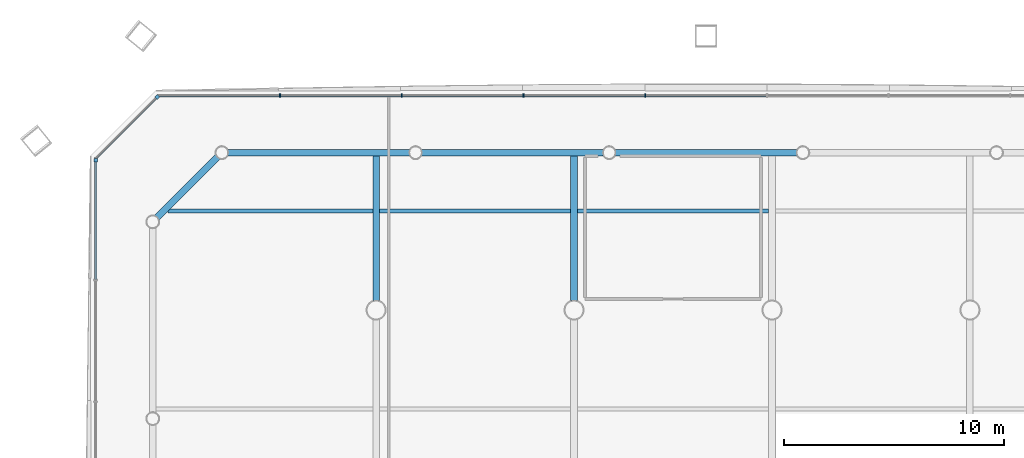
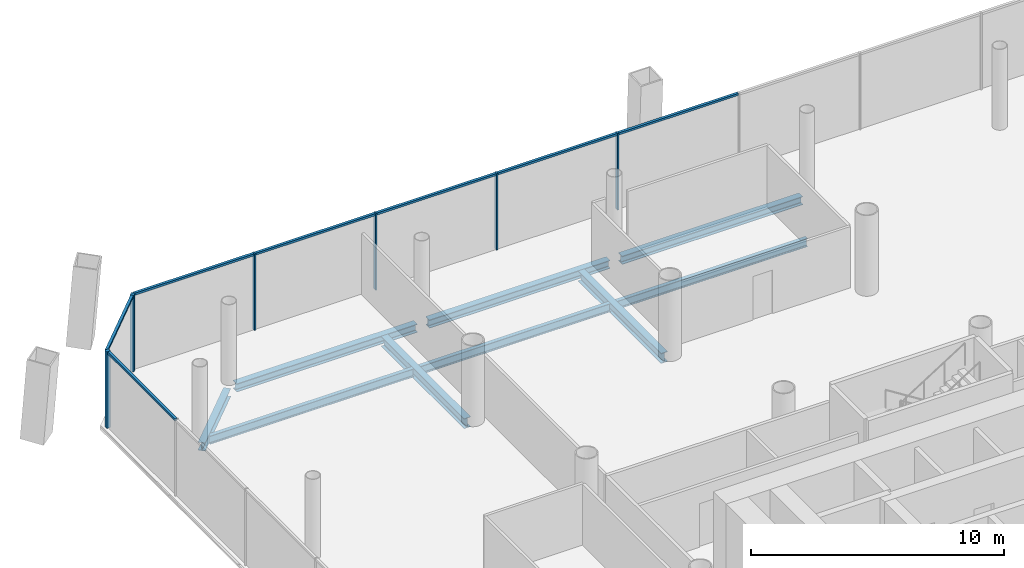
# One storey, part 10 of 22: 13 members, 9 beams, 3 elements without a shape of their own.
"""IFC4 building model written with IfcOpenShell, lengths in metres."""

from ifc_helpers import new_model, si_unit, direction, frame, origin, origin_2d, place, context, subcontext, project, spatial, rectangle, i_section, extrude, material, material_profile, profile_set, type_object, element, aggregate, save


model = new_model("IFC4")

# Units and contexts
model_context = context("Model", 3, precision=1e-05, world=origin(), true_north=direction((0.0, 1.0)))
body_context = subcontext(model_context, "Body", "Model", "MODEL_VIEW")
ifc_project = project(units=[si_unit("LENGTHUNIT", "METRE"), si_unit("AREAUNIT", "SQUARE_METRE"), si_unit("VOLUMEUNIT", "CUBIC_METRE"), si_unit("PLANEANGLEUNIT", "RADIAN"), si_unit("MASSUNIT", "GRAM", prefix="KILO")], contexts=[model_context])

# Site, building, storey
site_placement = place(None, origin())
site = spatial("IfcSite", under=ifc_project, at=site_placement, CompositionType="ELEMENT")
building_placement = place(site_placement, origin())
building = spatial("IfcBuilding", under=site, at=building_placement, Name="Tskaro Facet Tower", CompositionType="ELEMENT")
storey_placement = place(building_placement, frame((0.0, 0.0, 18.60009765625)))
storey = spatial("IfcBuildingStorey", under=building, at=storey_placement, Name="L03", CompositionType="ELEMENT", Elevation=18.60009765625)

# Curtain wall, member
ifc_material_1 = material(Name="Bronze anodised aluminium 6063-T6", Category="aluminium")
curtain_wall_type = type_object("IfcCurtainWallType", Name="Bronze office curtain wall (FW1)", PredefinedType="NOTDEFINED", material=ifc_material_1)
curtain_wall_1_placement = place(storey_placement, origin())
curtain_wall_1 = element("IfcCurtainWall", 1, at=curtain_wall_1_placement, inside=storey, type_object=curtain_wall_type, Name="FW1 north-west facet L03", PredefinedType="NOTDEFINED")
ifc_material_profile_1 = material_profile(ifc_material_1, rectangle(XDim=0.159912109375, YDim=0.159912109375, at=origin_2d()), Name="Corner post 160x160")
ifc_profile_set_1 = profile_set([ifc_material_profile_1], Name="Bronze anodised aluminium 6063-T6")
member_type_1 = type_object("IfcMemberType", Name="FW1 bronze corner post 160x160", PredefinedType="MULLION", material=ifc_profile_set_1)
member_1_placement = place(storey_placement, frame((-27.95263671875, 27.693359375, 0.0), z_axis=(0.0, 0.0, 1.0), x_axis=(-0.707106781187, -0.707106781187, 0.0)))
member_1 = element("IfcMember", 2, at=member_1_placement, type_object=member_type_1, Name="FW1 north-west corner post", PredefinedType="MULLION", context=body_context, shape_type="SweptSolid", body=[
    extrude(rectangle(XDim=0.159912109375, YDim=0.159912109375, at=origin_2d()), origin(), (0.0, 0.0, 1.0), 3.699951171875),
])

curtain_wall_2_placement = place(storey_placement, origin())
curtain_wall_2 = element("IfcCurtainWall", 3, at=curtain_wall_2_placement, inside=storey, type_object=curtain_wall_type, Name="FW1 west facet L03", PredefinedType="NOTDEFINED")
member_2_placement = place(storey_placement, frame((-30.75, 24.81591796875, 0.0), z_axis=(0.0, 0.0, 1.0), x_axis=(0.0, -1.0, 0.0)))
member_2 = element("IfcMember", 4, at=member_2_placement, type_object=member_type_1, Name="FW1 west corner post", PredefinedType="MULLION", context=body_context, shape_type="SweptSolid", body=[
    extrude(rectangle(XDim=0.159912109375, YDim=0.159912109375, at=origin_2d()), origin(), (0.0, 0.0, 1.0), 3.699951171875),
])

# Curtain wall, members
curtain_wall_3_placement = place(storey_placement, origin())
curtain_wall_3 = element("IfcCurtainWall", 5, at=curtain_wall_3_placement, inside=storey, type_object=curtain_wall_type, Name="FW1 north facet L03", PredefinedType="NOTDEFINED")
ifc_material_profile_2 = material_profile(ifc_material_1, rectangle(XDim=0.06005859375, YDim=0.159912109375, at=origin_2d()), Name="Mullion 60x160")
ifc_profile_set_2 = profile_set([ifc_material_profile_2], Name="Bronze anodised aluminium 6063-T6")
member_type_2 = type_object("IfcMemberType", Name="FW1 bronze mullion 60x160", PredefinedType="MULLION", material=ifc_profile_set_2)
member_3_placement = place(storey_placement, frame((-5.76611328125, 27.75, 0.0), z_axis=(0.0, 0.0, 1.0), x_axis=(-1.0, 0.0, 0.0)))
member_3 = element("IfcMember", 6, at=member_3_placement, type_object=member_type_2, Name="FW1 north mullion 5", PredefinedType="MULLION", context=body_context, shape_type="SweptSolid", body=[
    extrude(rectangle(XDim=0.06005859375, YDim=0.159912109375, at=origin_2d()), origin(), (0.0, 0.0, 1.0), 3.699951171875),
])
member_4_placement = place(storey_placement, frame((-11.298583984375, 27.75, 0.0), z_axis=(0.0, 0.0, 1.0), x_axis=(-1.0, 0.0, 0.0)))
member_4 = element("IfcMember", 7, at=member_4_placement, type_object=member_type_2, Name="FW1 north mullion 6", PredefinedType="MULLION", context=body_context, shape_type="SweptSolid", body=[
    extrude(rectangle(XDim=0.06005859375, YDim=0.159912109375, at=origin_2d()), origin(), (0.0, 0.0, 1.0), 3.699951171875),
])
member_5_placement = place(storey_placement, frame((-16.8310546875, 27.75, 0.0), z_axis=(0.0, 0.0, 1.0), x_axis=(-1.0, 0.0, 0.0)))
member_5 = element("IfcMember", 8, at=member_5_placement, type_object=member_type_2, Name="FW1 north mullion 7", PredefinedType="MULLION", context=body_context, shape_type="SweptSolid", body=[
    extrude(rectangle(XDim=0.06005859375, YDim=0.159912109375, at=origin_2d()), origin(), (0.0, 0.0, 1.0), 3.699951171875),
])
member_6_placement = place(storey_placement, frame((-22.363525390625, 27.75, 0.0), z_axis=(0.0, 0.0, 1.0), x_axis=(-1.0, 0.0, 0.0)))
member_6 = element("IfcMember", 9, at=member_6_placement, type_object=member_type_2, Name="FW1 north mullion 8", PredefinedType="MULLION", context=body_context, shape_type="SweptSolid", body=[
    extrude(rectangle(XDim=0.06005859375, YDim=0.159912109375, at=origin_2d()), origin(), (0.0, 0.0, 1.0), 3.699951171875),
])
ifc_material_profile_3 = material_profile(ifc_material_1, rectangle(XDim=0.1201171875, YDim=0.10009765625, at=origin_2d()), Name="Transom 120x100")
ifc_profile_set_3 = profile_set([ifc_material_profile_3], Name="Bronze anodised aluminium 6063-T6")
member_type_3 = type_object("IfcMemberType", Name="FW1 bronze transom 120x100", PredefinedType="USERDEFINED", material=ifc_profile_set_3)
member_7_placement = place(storey_placement, frame((-0.263671875, 27.75, 3.64990234375), z_axis=(-1.0, 0.0, 0.0), x_axis=(0.0, -1.0, 0.0)))
member_7 = element("IfcMember", 10, at=member_7_placement, type_object=member_type_3, Name="FW1 north transom 5.1", ObjectType="TRANSOM", PredefinedType="USERDEFINED", context=body_context, shape_type="SweptSolid", body=[
    extrude(rectangle(XDim=0.1201171875, YDim=0.10009765625, at=origin_2d()), origin(), (0.0, 0.0, 1.0), 5.47265625),
])
member_8_placement = place(storey_placement, frame((-5.796142578125, 27.75, 3.64990234375), z_axis=(-1.0, 0.0, 0.0), x_axis=(0.0, -1.0, 0.0)))
member_8 = element("IfcMember", 11, at=member_8_placement, type_object=member_type_3, Name="FW1 north transom 6.1", ObjectType="TRANSOM", PredefinedType="USERDEFINED", context=body_context, shape_type="SweptSolid", body=[
    extrude(rectangle(XDim=0.1201171875, YDim=0.10009765625, at=origin_2d()), origin(), (0.0, 0.0, 1.0), 5.472412109375),
])
member_9_placement = place(storey_placement, frame((-11.32861328125, 27.75, 3.64990234375), z_axis=(-1.0, 0.0, 0.0), x_axis=(0.0, -1.0, 0.0)))
member_9 = element("IfcMember", 12, at=member_9_placement, type_object=member_type_3, Name="FW1 north transom 7.1", ObjectType="TRANSOM", PredefinedType="USERDEFINED", context=body_context, shape_type="SweptSolid", body=[
    extrude(rectangle(XDim=0.1201171875, YDim=0.10009765625, at=origin_2d()), origin(), (0.0, 0.0, 1.0), 5.472412109375),
])
member_10_placement = place(storey_placement, frame((-16.861083984375, 27.75, 3.64990234375), z_axis=(-1.0, 0.0, 0.0), x_axis=(0.0, -1.0, 0.0)))
member_10 = element("IfcMember", 13, at=member_10_placement, type_object=member_type_3, Name="FW1 north transom 8.1", ObjectType="TRANSOM", PredefinedType="USERDEFINED", context=body_context, shape_type="SweptSolid", body=[
    extrude(rectangle(XDim=0.1201171875, YDim=0.10009765625, at=origin_2d()), origin(), (0.0, 0.0, 1.0), 5.472412109375),
])
member_11_placement = place(storey_placement, frame((-22.3935546875, 27.75, 3.64990234375), z_axis=(-1.0, 0.0, 0.0), x_axis=(0.0, -1.0, 0.0)))
member_11 = element("IfcMember", 14, at=member_11_placement, type_object=member_type_3, Name="FW1 north transom 9.1", ObjectType="TRANSOM", PredefinedType="USERDEFINED", context=body_context, shape_type="SweptSolid", body=[
    extrude(rectangle(XDim=0.1201171875, YDim=0.10009765625, at=origin_2d()), origin(), (0.0, 0.0, 1.0), 5.50244140625),
])
aggregate(curtain_wall_3, [member_3, member_4, member_5, member_6, member_7, member_8, member_9, member_10, member_11])

# Member
member_12_placement = place(storey_placement, frame((-28.009033203125, 27.636962890625, 3.64990234375), z_axis=(-0.707106781187, -0.707106781187, 0.0), x_axis=(0.707106781187, -0.707106781187, 0.0)))
member_12 = element("IfcMember", 15, at=member_12_placement, type_object=member_type_3, Name="FW1 north-west transom 1.1", ObjectType="TRANSOM", PredefinedType="USERDEFINED", context=body_context, shape_type="SweptSolid", body=[
    extrude(rectangle(XDim=0.1201171875, YDim=0.10009765625, at=origin_2d()), origin(), (0.0, 0.0, 1.0), 3.876220703125),
])

aggregate(curtain_wall_1, [member_1, member_12])

member_13_placement = place(storey_placement, frame((-30.75, 24.736083984375, 3.64990234375), z_axis=(0.0, -1.0, 0.0), x_axis=(1.0, 0.0, 0.0)))
member_13 = element("IfcMember", 16, at=member_13_placement, type_object=member_type_3, Name="FW1 west transom 1.1", ObjectType="TRANSOM", PredefinedType="USERDEFINED", context=body_context, shape_type="SweptSolid", body=[
    extrude(rectangle(XDim=0.1201171875, YDim=0.10009765625, at=origin_2d()), origin(), (0.0, 0.0, 1.0), 5.342529296875),
])

aggregate(curtain_wall_2, [member_2, member_13])

# Beams
ifc_material_2 = material(Name="Steel S355J2", Category="steel")
ifc_material_profile_4 = material_profile(ifc_material_2, i_section(OverallWidth=0.300048828125, OverallDepth=0.39990234375, WebThickness=0.013427734375, FlangeThickness=0.02392578125, FilletRadius=0.027099609375, at=origin_2d()), Name="HE 400 B")
ifc_profile_set_4 = profile_set([ifc_material_profile_4], Name="Steel S355J2")
beam_type_1 = type_object("IfcBeamType", Name="HE 400 B ring beam", PredefinedType="BEAM", material=ifc_profile_set_4)
beam_1_placement = place(storey_placement, frame((1.126953125, 25.156982421875, -0.340087890625), z_axis=(-1.0, 0.0, 0.0), x_axis=(0.0, -1.0, 0.0)))
element("IfcBeam", 17, at=beam_1_placement, inside=storey, type_object=beam_type_1, Name="HE 400 B EB16-1", PredefinedType="BEAM", context=body_context, shape_type="SweptSolid", body=[
    extrude(i_section(OverallWidth=0.300048828125, OverallDepth=0.39990234375, WebThickness=0.013427734375, FlangeThickness=0.02392578125, FilletRadius=0.027099609375, at=origin_2d()), origin(), (0.0, 0.0, 1.0), 8.25390625),
])
beam_2_placement = place(storey_placement, frame((-7.677001953125, 25.156982421875, -0.340087890625), z_axis=(-1.0, 0.0, 0.0), x_axis=(0.0, -1.0, 0.0)))
element("IfcBeam", 18, at=beam_2_placement, inside=storey, type_object=beam_type_1, Name="HE 400 B EB17-1", PredefinedType="BEAM", context=body_context, shape_type="SweptSolid", body=[
    extrude(i_section(OverallWidth=0.300048828125, OverallDepth=0.39990234375, WebThickness=0.013427734375, FlangeThickness=0.02392578125, FilletRadius=0.027099609375, at=origin_2d()), origin(), (0.0, 0.0, 1.0), 8.2548828125),
])
beam_3_placement = place(storey_placement, frame((-16.48193359375, 25.156982421875, -0.340087890625), z_axis=(-1.0, 0.0, 0.0), x_axis=(0.0, -1.0, 0.0)))
element("IfcBeam", 19, at=beam_3_placement, inside=storey, type_object=beam_type_1, Name="HE 400 B EB18-1", PredefinedType="BEAM", context=body_context, shape_type="SweptSolid", body=[
    extrude(i_section(OverallWidth=0.300048828125, OverallDepth=0.39990234375, WebThickness=0.013427734375, FlangeThickness=0.02392578125, FilletRadius=0.027099609375, at=origin_2d()), origin(), (0.0, 0.0, 1.0), 8.255126953125),
])
beam_4_placement = place(storey_placement, frame((-25.20654296875, 24.962646484375, -0.340087890625), z_axis=(-0.707106781187, -0.707106781187, 0.0), x_axis=(0.707106781187, -0.707106781187, 0.0)))
element("IfcBeam", 20, at=beam_4_placement, inside=storey, type_object=beam_type_1, Name="HE 400 B EB19-1", PredefinedType="BEAM", context=body_context, shape_type="SweptSolid", body=[
    extrude(i_section(OverallWidth=0.300048828125, OverallDepth=0.39990234375, WebThickness=0.013427734375, FlangeThickness=0.02392578125, FilletRadius=0.027099609375, at=origin_2d()), origin(), (0.0, 0.0, 1.0), 3.897705078125),
])
ifc_material_profile_5 = material_profile(ifc_material_2, i_section(OverallWidth=0.300048828125, OverallDepth=0.489990234375, WebThickness=0.011962890625, FlangeThickness=0.02294921875, FilletRadius=0.027099609375, at=origin_2d()), Name="HE 500 A")
ifc_profile_set_5 = profile_set([ifc_material_profile_5], Name="Steel S355J2")
beam_type_2 = type_object("IfcBeamType", Name="HE 500 A girder", PredefinedType="BEAM", material=ifc_profile_set_5)
for number, where, z_axis, x_axis, name in (
    (21, (-18.0, 18.42724609375, -0.385009765625), (0.0, 1.0, 0.0), (-1.0, 0.0, 0.0), "HE 500 A GB2-6-1"),
    (22, (-9.0, 18.42724609375, -0.385009765625), (0.0, 1.0, 0.0), (-1.0, 0.0, 0.0), "HE 500 A GB3-5-1"),
):
    element("IfcBeam", number, at=place(storey_placement, frame(where, z_axis=z_axis, x_axis=x_axis)), inside=storey, type_object=beam_type_2, Name=name, PredefinedType="BEAM", context=body_context, shape_type="SweptSolid", body=[
        extrude(i_section(OverallWidth=0.300048828125, OverallDepth=0.489990234375, WebThickness=0.011962890625, FlangeThickness=0.02294921875, FilletRadius=0.027099609375, at=origin_2d()), origin(), (0.0, 0.0, 1.0), 6.579833984375),
    ])
ifc_material_profile_6 = material_profile(ifc_material_2, i_section(OverallWidth=0.179931640625, OverallDepth=0.39990234375, WebThickness=0.008544921875, FlangeThickness=0.013427734375, FilletRadius=0.02099609375, at=origin_2d()), Name="IPE 400")
ifc_profile_set_6 = profile_set([ifc_material_profile_6], Name="Steel S355J2")
beam_type_3 = type_object("IfcBeamType", Name="IPE 400 secondary beam", PredefinedType="BEAM", material=ifc_profile_set_6)
beam_5_placement = place(storey_placement, frame((-27.45703125, 22.5, -0.340087890625), z_axis=(1.0, 0.0, 0.0), x_axis=(0.0, 1.0, 0.0)))
element("IfcBeam", 23, at=beam_5_placement, inside=storey, type_object=beam_type_3, Name="IPE 400 SB6a-1-1", PredefinedType="BEAM", context=body_context, shape_type="SweptSolid", body=[
    extrude(i_section(OverallWidth=0.179931640625, OverallDepth=0.39990234375, WebThickness=0.008544921875, FlangeThickness=0.013427734375, FilletRadius=0.02099609375, at=origin_2d()), origin(), (0.0, 0.0, 1.0), 9.30712890625),
])
for number, where, z_axis, x_axis, name in (
    (24, (-17.85009765625, 22.5, -0.340087890625), (1.0, 0.0, 0.0), (0.0, 1.0, 0.0), "IPE 400 SB6a-2-1"),
    (25, (-8.85009765625, 22.5, -0.340087890625), (1.0, 0.0, 0.0), (0.0, 1.0, 0.0), "IPE 400 SB6a-3-1"),
):
    element("IfcBeam", number, at=place(storey_placement, frame(where, z_axis=z_axis, x_axis=x_axis)), inside=storey, type_object=beam_type_3, Name=name, PredefinedType="BEAM", context=body_context, shape_type="SweptSolid", body=[
        extrude(i_section(OverallWidth=0.179931640625, OverallDepth=0.39990234375, WebThickness=0.008544921875, FlangeThickness=0.013427734375, FilletRadius=0.02099609375, at=origin_2d()), origin(), (0.0, 0.0, 1.0), 8.7001953125),
    ])

save(model, "model.ifc")
